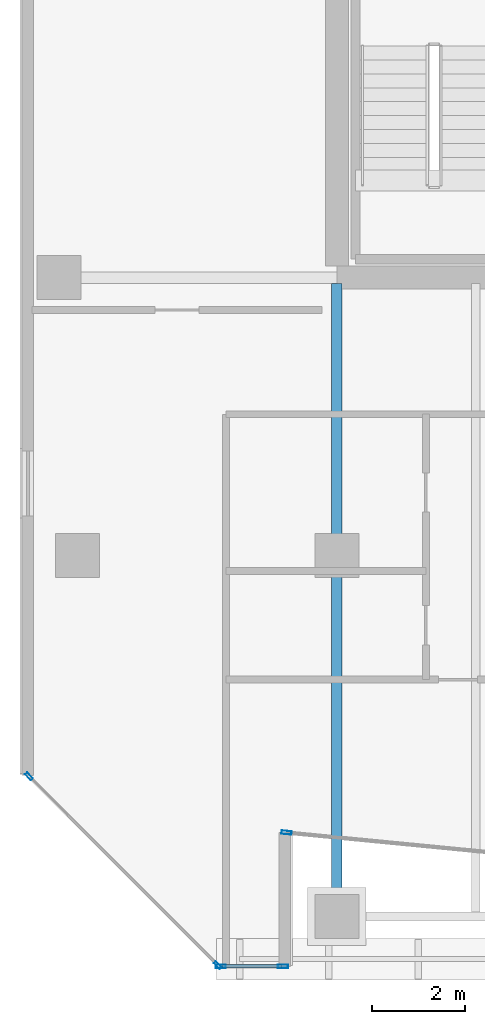
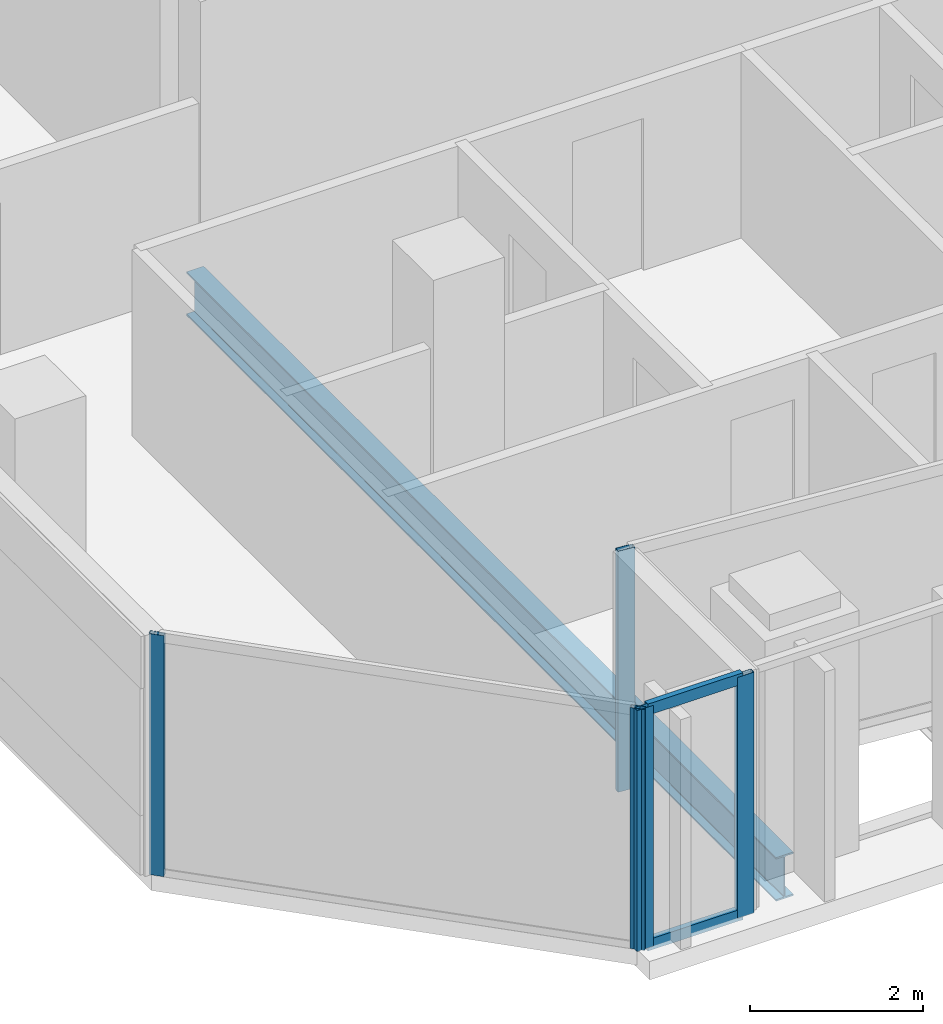
# One storey, part 2 of 39: 7 members, 1 beam, 3 elements without a shape of their own.
"""IFC4 building model written with IfcOpenShell, lengths in metres."""

from ifc_helpers import new_model, si_unit, direction, frame, origin, origin_2d, place, context, subcontext, project, spatial, hollow_rectangle, i_section, extrude, material, layer, layer_set, material_profile, profile_set, type_object, element, aggregate, save


model = new_model("IFC4")

# Units and contexts
model_context = context("Model", 3, precision=1e-05, world=origin(), true_north=direction((0.0, 1.0)))
body_context = subcontext(model_context, "Body", "Model", "MODEL_VIEW")
ifc_project = project(units=[si_unit("LENGTHUNIT", "METRE"), si_unit("AREAUNIT", "SQUARE_METRE"), si_unit("VOLUMEUNIT", "CUBIC_METRE"), si_unit("PLANEANGLEUNIT", "RADIAN"), si_unit("MASSUNIT", "GRAM", prefix="KILO")], contexts=[model_context])

# Site, building, storey
site_placement = place(None, origin())
site = spatial("IfcSite", under=ifc_project, at=site_placement, CompositionType="ELEMENT")
building_placement = place(site_placement, origin())
building = spatial("IfcBuilding", under=site, at=building_placement, Name="Tanjung Sevakor Pilgrim Tower", CompositionType="ELEMENT")
storey_placement = place(building_placement, frame((0.0, 0.0, 112.199951171875)))
storey = spatial("IfcBuildingStorey", under=building, at=storey_placement, Name="L31", CompositionType="ELEMENT", Elevation=112.199951171875)

# Beam
ifc_material_1 = material(Name="Steel S355J2", Category="steel")
ifc_material_profile_1 = material_profile(ifc_material_1, i_section(OverallWidth=0.230224609375, OverallDepth=0.6171875, WebThickness=0.01318359375, FlangeThickness=0.022216796875, FilletRadius=0.0126953125, at=origin_2d()))
ifc_profile_set_1 = profile_set([ifc_material_profile_1], Name="Steel S355J2")
beam_type = type_object("IfcBeamType", Name="BM-B-G3-UB_610x229x140", PredefinedType="BEAM", material=ifc_profile_set_1)
beam_placement = place(storey_placement, frame((24.0, 10.800048828125, -0.528564453125), z_axis=(0.0, 1.0, 0.0), x_axis=(-1.0, 0.0, 0.0)))
element("IfcBeam", 1, at=beam_placement, inside=storey, type_object=beam_type, Name="L31 MAIN Girder 001", PredefinedType="BEAM", context=body_context, shape_type="SweptSolid", body=[
    extrude(i_section(OverallWidth=0.230224609375, OverallDepth=0.6171875, WebThickness=0.01318359375, FlangeThickness=0.022216796875, FilletRadius=0.0126953125, at=origin_2d()), origin(), (0.0, 0.0, 1.0), 13.672607421875),
])

# Curtain wall, members
ifc_material_2 = material(Name="Aluminium 6063-T6 and Low-E Glass", Category="aluminium")
ifc_layer_1 = layer(ifc_material_2, 0.179931640625)
ifc_layer_set_1 = layer_set([ifc_layer_1], Name="CW-SYS-CHAM")
curtain_wall_type_1 = type_object("IfcCurtainWallType", Name="CW-SYS-CHAM", PredefinedType="NOTDEFINED", material=ifc_layer_set_1)
curtain_wall_1_placement = place(storey_placement, origin())
curtain_wall_1 = element("IfcCurtainWall", 2, at=curtain_wall_1_placement, inside=storey, type_object=curtain_wall_type_1, Name="L31 Curtain Wall CW-CHM-L31-MAIN-35", PredefinedType="NOTDEFINED")
ifc_material_3 = material(Name="Aluminium 6063-T6", Category="aluminium")
ifc_material_profile_2 = material_profile(ifc_material_3, hollow_rectangle(XDim=0.06494140625, YDim=0.179931640625, WallThickness=0.00390625, at=origin_2d()))
ifc_profile_set_2 = profile_set([ifc_material_profile_2], Name="Aluminium 6063-T6")
member_type_1 = type_object("IfcMemberType", Name="TYPE-CWM-1", PredefinedType="MULLION", material=ifc_profile_set_2)
member_1_placement = place(storey_placement, frame((17.347900390625, 13.828857421875, 0.0), z_axis=(0.0, 0.0, 1.0), x_axis=(0.707106781187, 0.707106781187, 0.0)))
member_1 = element("IfcMember", 3, at=member_1_placement, type_object=member_type_1, Name="CW-CHM mullion 1", PredefinedType="MULLION", context=body_context, shape_type="SweptSolid", body=[
    extrude(hollow_rectangle(XDim=0.06494140625, YDim=0.179931640625, WallThickness=0.00390625, at=origin_2d()), origin(), (0.0, 0.0, 1.0), 3.41015625),
])
member_2_placement = place(storey_placement, frame((21.4287109375, 9.748046875, 0.0), z_axis=(0.0, 0.0, 1.0), x_axis=(0.707106781187, 0.707106781187, 0.0)))
member_2 = element("IfcMember", 4, at=member_2_placement, type_object=member_type_1, Name="CW-CHM mullion 2", PredefinedType="MULLION", context=body_context, shape_type="SweptSolid", body=[
    extrude(hollow_rectangle(XDim=0.06494140625, YDim=0.179931640625, WallThickness=0.00390625, at=origin_2d()), origin(), (0.0, 0.0, 1.0), 3.41015625),
])
aggregate(curtain_wall_1, [member_1, member_2])

ifc_material_4 = material(Name="Aluminium 6063-T6 and Low-E Glass", Category="aluminium")
ifc_layer_2 = layer(ifc_material_4, 0.199951171875)
ifc_layer_set_2 = layer_set([ifc_layer_2], Name="CW-SYS-PRAY")
curtain_wall_type_2 = type_object("IfcCurtainWallType", Name="CW-SYS-PRAY", PredefinedType="NOTDEFINED", material=ifc_layer_set_2)
curtain_wall_2_placement = place(storey_placement, origin())
curtain_wall_2 = element("IfcCurtainWall", 5, at=curtain_wall_2_placement, inside=storey, type_object=curtain_wall_type_2, Name="L31 Curtain Wall CW-PRY-L31-0", PredefinedType="NOTDEFINED")
ifc_material_5 = material(Name="Aluminium 6063-T6", Category="aluminium")
ifc_material_profile_3 = material_profile(ifc_material_5, hollow_rectangle(XDim=0.074951171875, YDim=0.219970703125, WallThickness=0.0048828125, at=origin_2d()))
ifc_profile_set_3 = profile_set([ifc_material_profile_3], Name="Aluminium 6063-T6")
member_type_2 = type_object("IfcMemberType", Name="TYPE-CWM-2", PredefinedType="MULLION", material=ifc_profile_set_3)
member_3_placement = place(storey_placement, frame((21.4892578125, 9.72509765625, 0.0), z_axis=(0.0, 0.0, 1.0), x_axis=(0.0, 1.0, 0.0)))
member_3 = element("IfcMember", 6, at=member_3_placement, type_object=member_type_2, Name="CW-PRY mullion 1", PredefinedType="MULLION", context=body_context, shape_type="SweptSolid", body=[
    extrude(hollow_rectangle(XDim=0.074951171875, YDim=0.219970703125, WallThickness=0.0048828125, at=origin_2d()), origin(), (0.0, 0.0, 1.0), 3.41015625),
])
member_4_placement = place(storey_placement, frame((22.83740234375, 9.72509765625, 0.0), z_axis=(0.0, 0.0, 1.0), x_axis=(0.0, 1.0, 0.0)))
member_4 = element("IfcMember", 7, at=member_4_placement, type_object=member_type_2, Name="CW-PRY mullion 2", PredefinedType="MULLION", context=body_context, shape_type="SweptSolid", body=[
    extrude(hollow_rectangle(XDim=0.074951171875, YDim=0.219970703125, WallThickness=0.0048828125, at=origin_2d()), origin(), (0.0, 0.0, 1.0), 3.41015625),
])

# Curtain wall, member
curtain_wall_3_placement = place(storey_placement, origin())
curtain_wall_3 = element("IfcCurtainWall", 8, at=curtain_wall_3_placement, inside=storey, type_object=curtain_wall_type_2, Name="L31 Curtain Wall CW-PRY-L31-2", PredefinedType="NOTDEFINED")
member_5_placement = place(storey_placement, frame((22.912353515625, 12.614013671875, 0.0), z_axis=(0.0, 0.0, 1.0), x_axis=(0.096631025687, 0.995320272513, 0.0)))
member_5 = element("IfcMember", 9, at=member_5_placement, type_object=member_type_2, Name="CW-PRY mullion 1", PredefinedType="MULLION", context=body_context, shape_type="SweptSolid", body=[
    extrude(hollow_rectangle(XDim=0.074951171875, YDim=0.219970703125, WallThickness=0.0048828125, at=origin_2d()), origin(), (0.0, 0.0, 1.0), 3.41015625),
])
aggregate(curtain_wall_3, [member_5])

# Member
ifc_material_6 = material(Name="Aluminium 6063-T6", Category="aluminium")
ifc_material_profile_4 = material_profile(ifc_material_6, hollow_rectangle(XDim=0.074951171875, YDim=0.159912109375, WallThickness=0.00439453125, at=origin_2d()))
ifc_profile_set_4 = profile_set([ifc_material_profile_4], Name="Aluminium 6063-T6")
member_type_3 = type_object("IfcMemberType", Name="TYPE-CWT-2", PredefinedType="USERDEFINED", material=ifc_profile_set_4)
member_6_placement = place(storey_placement, frame((21.52685546875, 9.72509765625, 0.03759765625), z_axis=(1.0, 0.0, 0.0), x_axis=(0.0, 1.0, 0.0)))
member_6 = element("IfcMember", 10, at=member_6_placement, type_object=member_type_3, Name="CW-PRY transom 1.1", ObjectType="TRANSOM", PredefinedType="USERDEFINED", context=body_context, shape_type="SweptSolid", body=[
    extrude(hollow_rectangle(XDim=0.074951171875, YDim=0.159912109375, WallThickness=0.00439453125, at=origin_2d()), origin(), (0.0, 0.0, 1.0), 1.273193359375),
])

member_7_placement = place(storey_placement, frame((21.52685546875, 9.72509765625, 3.37255859375), z_axis=(1.0, 0.0, 0.0), x_axis=(0.0, 1.0, 0.0)))
member_7 = element("IfcMember", 11, at=member_7_placement, type_object=member_type_3, Name="CW-PRY transom 1.2", ObjectType="TRANSOM", PredefinedType="USERDEFINED", context=body_context, shape_type="SweptSolid", body=[
    extrude(hollow_rectangle(XDim=0.074951171875, YDim=0.159912109375, WallThickness=0.00439453125, at=origin_2d()), origin(), (0.0, 0.0, 1.0), 1.273193359375),
])

aggregate(curtain_wall_2, [member_3, member_4, member_6, member_7])

save(model, "model.ifc")
